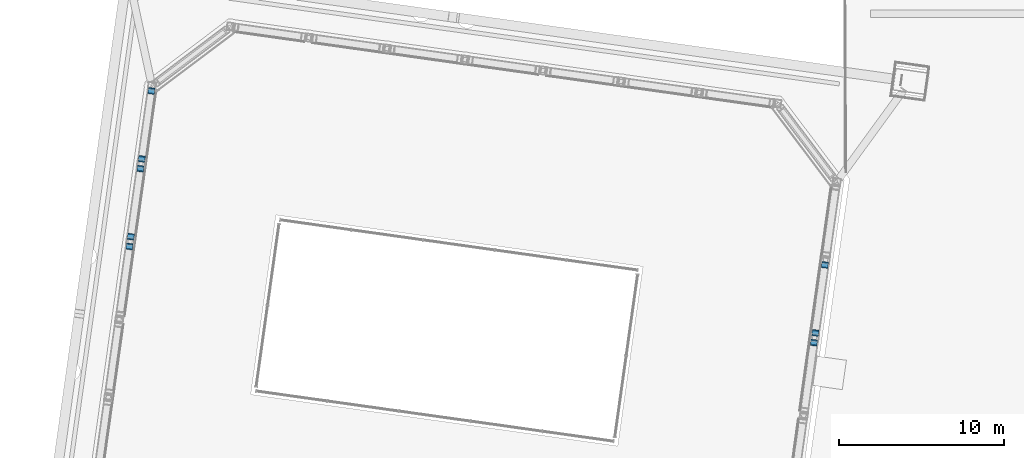
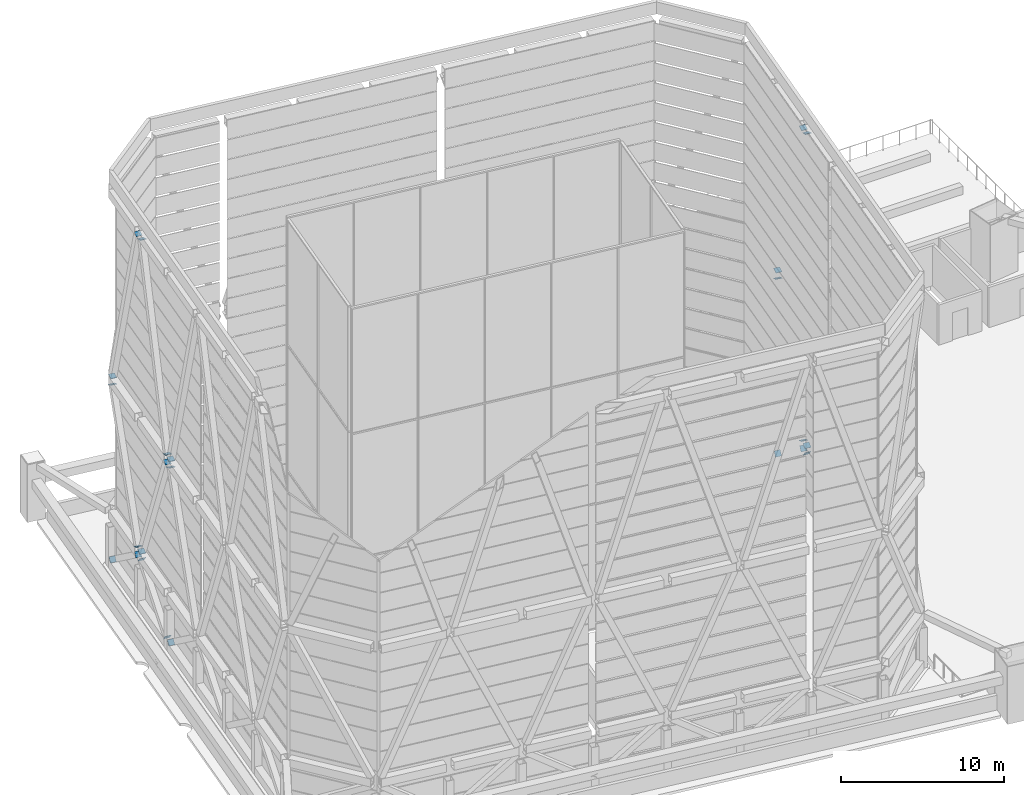
# One storey, part 33 of 45: 24 discrete accessories.
"""IFC4 building model written with IfcOpenShell, lengths in metres."""

from ifc_helpers import new_model, si_unit, direction, frame, origin, origin_2d, place, context, subcontext, project, spatial, rectangle, extrude, material, material_profile, profile_set, type_object, element, save


model = new_model("IFC4")

# Units and contexts
model_context = context("Model", 3, precision=1e-05, world=origin(), true_north=direction((0.0, 1.0)))
body_context = subcontext(model_context, "Body", "Model", "MODEL_VIEW")
ifc_project = project(units=[si_unit("LENGTHUNIT", "METRE"), si_unit("AREAUNIT", "SQUARE_METRE"), si_unit("VOLUMEUNIT", "CUBIC_METRE"), si_unit("PLANEANGLEUNIT", "RADIAN"), si_unit("MASSUNIT", "GRAM", prefix="KILO")], contexts=[model_context])

# Site, building, storey
site_placement = place(None, origin())
site = spatial("IfcSite", under=ifc_project, at=site_placement, CompositionType="ELEMENT")
building_placement = place(site_placement, origin())
building = spatial("IfcBuilding", under=site, at=building_placement, Name="Mirante Cascada Hotel Towers", CompositionType="ELEMENT")
storey_placement = place(building_placement, frame((0.0, 0.0, 269.8)))
storey = spatial("IfcBuildingStorey", under=building, at=storey_placement, Name="Roof garden", CompositionType="ELEMENT", Elevation=269.8)

# Discrete accessories
ifc_material = material(Name="Steel ASTM A572 Gr 50", Category="steel")
ifc_material_profile = material_profile(ifc_material, rectangle(XDim=0.4, YDim=0.4, at=origin_2d()), Name="Connection plate 400x400x25 ASTM A572 Gr 50")
ifc_profile_set = profile_set([ifc_material_profile], Name="Steel ASTM A572 Gr 50")
discrete_accessory_type = type_object("IfcDiscreteAccessoryType", Name="Connection plate 400x400x25 ASTM A572 Gr 50", PredefinedType="BRACKET", material=ifc_profile_set)
discrete_accessory_1_placement = place(storey_placement, frame((-14.0941, 0.2696, 3.6925), z_axis=(0.1116566, 0.7935596, 0.5981605), x_axis=(-0.9902459, 0.1393311, 0.0)))
element("IfcDiscreteAccessory", 1, at=discrete_accessory_1_placement, inside=storey, type_object=discrete_accessory_type, Name="Connection plate HT-D", PredefinedType="BRACKET", context=body_context, shape_type="SweptSolid", body=[
    extrude(rectangle(XDim=0.4, YDim=0.4, at=origin_2d()), origin(), (0.0, 0.0, 1.0), 0.0251),
])
discrete_accessory_2_placement = place(storey_placement, frame((-13.4273, 5.0142, 0.5925), z_axis=(-0.1120108, -0.792076, 0.6000576), x_axis=(0.9901485, -0.140021, 0.0)))
element("IfcDiscreteAccessory", 2, at=discrete_accessory_2_placement, inside=storey, type_object=discrete_accessory_type, Name="Connection plate HT-D", PredefinedType="BRACKET", context=body_context, shape_type="SweptSolid", body=[
    extrude(rectangle(XDim=0.4, YDim=0.4, at=origin_2d()), origin(), (0.0, 0.0, 1.0), 0.025),
])
for number, where, z_axis, x_axis, name in (
    (3, (-14.0078, 0.8836, 3.6925), (-0.1116566, -0.7935596, 0.5981605), (0.9902459, -0.1393311, 0.0), "Connection plate HT-D"),
    (4, (-54.3399, 15.5822, 0.5925), (-0.1116566, -0.7935596, 0.5981605), (0.9902459, -0.1393311, 0.0), "Connection plate HT-D"),
    (5, (-54.9204, 11.4516, 3.6925), (-0.1116566, -0.7935596, 0.5981605), (0.9902459, -0.1393311, 0.0), "Connection plate HT-D"),
):
    element("IfcDiscreteAccessory", number, at=place(storey_placement, frame(where, z_axis=z_axis, x_axis=x_axis)), inside=storey, type_object=discrete_accessory_type, Name=name, PredefinedType="BRACKET", context=body_context, shape_type="SweptSolid", body=[
        extrude(rectangle(XDim=0.4, YDim=0.4, at=origin_2d()), origin(), (0.0, 0.0, 1.0), 0.0251),
    ])
for number, where, z_axis, x_axis, name in (
    (6, (-55.5872, 6.707, 0.5925), (0.1120108, 0.792076, 0.6000576), (-0.9901485, 0.140021, 0.0), "Connection plate HT-D"),
    (7, (-55.0067, 10.8376, 3.6925), (0.1120108, 0.792076, 0.6000576), (-0.9901485, 0.140021, 0.0), "Connection plate HT-D"),
):
    element("IfcDiscreteAccessory", number, at=place(storey_placement, frame(where, z_axis=z_axis, x_axis=x_axis)), inside=storey, type_object=discrete_accessory_type, Name=name, PredefinedType="BRACKET", context=body_context, shape_type="SweptSolid", body=[
        extrude(rectangle(XDim=0.4, YDim=0.4, at=origin_2d()), origin(), (0.0, 0.0, 1.0), 0.025),
    ])
discrete_accessory_3_placement = place(storey_placement, frame((-55.668, 6.1327, 0.5925), z_axis=(-0.107716, -0.7939068, 0.5984222), x_axis=(0.9909208, -0.1344465, 0.0)))
element("IfcDiscreteAccessory", 8, at=discrete_accessory_3_placement, inside=storey, type_object=discrete_accessory_type, Name="Connection plate HT-D", PredefinedType="BRACKET", context=body_context, shape_type="SweptSolid", body=[
    extrude(rectangle(XDim=0.4, YDim=0.4, at=origin_2d()), origin(), (0.0, 0.0, 1.0), 0.0251),
])
for number, where, z_axis, x_axis, name in (
    (9, (-14.092, 0.2845, 4.2886), (-0.0561439, -0.4010279, 0.9143437), (0.9903417, -0.1386478, 0.0), "Connection plate CF-B"),
    (10, (-14.0099, 0.8687, 4.2886), (0.0561439, 0.4010279, 0.9143437), (-0.9903417, 0.1386478, 0.0), "Connection plate CF-B"),
    (11, (-13.4294, 4.9993, 13.6886), (0.0561439, 0.4010279, 0.9143437), (-0.9903417, 0.1386478, 0.0), "Connection plate CF-B"),
):
    element("IfcDiscreteAccessory", number, at=place(storey_placement, frame(where, z_axis=z_axis, x_axis=x_axis)), inside=storey, type_object=discrete_accessory_type, Name=name, PredefinedType="BRACKET", context=body_context, shape_type="SweptSolid", body=[
        extrude(rectangle(XDim=0.4, YDim=0.4, at=origin_2d()), origin(), (0.0, 0.0, 1.0), 0.0249),
    ])
for number, where, z_axis, x_axis, name in (
    (12, (-54.9225, 11.4366, 4.2886), (0.0560534, 0.4043852, 0.9128695), (-0.9905294, 0.1373011, 0.0), "Connection plate CF-B"),
    (13, (-54.342, 15.5672, 13.6886), (0.0560534, 0.4043852, 0.9128695), (-0.9905294, 0.1373011, 0.0), "Connection plate CF-B"),
):
    element("IfcDiscreteAccessory", number, at=place(storey_placement, frame(where, z_axis=z_axis, x_axis=x_axis)), inside=storey, type_object=discrete_accessory_type, Name=name, PredefinedType="BRACKET", context=body_context, shape_type="SweptSolid", body=[
        extrude(rectangle(XDim=0.4, YDim=0.4, at=origin_2d()), origin(), (0.0, 0.0, 1.0), 0.025),
    ])
for number, where, z_axis, x_axis, name in (
    (14, (-55.0046, 10.8525, 4.2886), (-0.0561439, -0.4010279, 0.9143437), (0.9903417, -0.1386478, 0.0), "Connection plate CF-B"),
    (15, (-55.5851, 6.7219, 13.6886), (-0.0561439, -0.4010279, 0.9143437), (0.9903417, -0.1386478, 0.0), "Connection plate CF-B"),
):
    element("IfcDiscreteAccessory", number, at=place(storey_placement, frame(where, z_axis=z_axis, x_axis=x_axis)), inside=storey, type_object=discrete_accessory_type, Name=name, PredefinedType="BRACKET", context=body_context, shape_type="SweptSolid", body=[
        extrude(rectangle(XDim=0.4, YDim=0.4, at=origin_2d()), origin(), (0.0, 0.0, 1.0), 0.0249),
    ])
discrete_accessory_4_placement = place(storey_placement, frame((-55.6701, 6.1177, 13.6886), z_axis=(0.0600432, 0.4042912, 0.9126574), x_axis=(-0.9891508, 0.1469036, 0.0)))
element("IfcDiscreteAccessory", 16, at=discrete_accessory_4_placement, inside=storey, type_object=discrete_accessory_type, Name="Connection plate CF-B", PredefinedType="BRACKET", context=body_context, shape_type="SweptSolid", body=[
    extrude(rectangle(XDim=0.4, YDim=0.4, at=origin_2d()), origin(), (0.0, 0.0, 1.0), 0.025),
])
for number, where, z_axis, x_axis, name in (
    (17, (-14.0932, 0.2758, 27.6381), (0.0400899, 0.2966653, 0.9541397), (-0.9909924, 0.1339179, 0.0), "Connection plate CF-B"),
    (18, (-13.4282, 5.008, 14.2881), (-0.0400899, -0.2966653, 0.9541397), (0.9909924, -0.1339179, 0.0), "Connection plate CF-B"),
    (19, (-14.0087, 0.8774, 27.6381), (-0.0400899, -0.2966653, 0.9541397), (0.9909924, -0.1339179, 0.0), "Connection plate CF-B"),
    (20, (-54.3408, 15.576, 14.2881), (-0.0400899, -0.2966653, 0.9541397), (0.9909924, -0.1339179, 0.0), "Connection plate CF-B"),
    (21, (-54.9213, 11.4454, 27.6381), (-0.0400899, -0.2966653, 0.9541397), (0.9909924, -0.1339179, 0.0), "Connection plate CF-B"),
    (22, (-55.5864, 6.7132, 14.2881), (0.0440915, 0.2966152, 0.9539787), (-0.9891316, 0.1470331, 0.0), "Connection plate CF-B"),
    (23, (-55.0058, 10.8438, 27.6381), (0.0400899, 0.2966653, 0.9541397), (-0.9909924, 0.1339179, 0.0), "Connection plate CF-B"),
    (24, (-55.6688, 6.1264, 14.2881), (-0.0440915, -0.2966152, 0.9539787), (0.9891316, -0.1470331, 0.0), "Connection plate CF-B"),
):
    element("IfcDiscreteAccessory", number, at=place(storey_placement, frame(where, z_axis=z_axis, x_axis=x_axis)), inside=storey, type_object=discrete_accessory_type, Name=name, PredefinedType="BRACKET", context=body_context, shape_type="SweptSolid", body=[
        extrude(rectangle(XDim=0.4, YDim=0.4, at=origin_2d()), origin(), (0.0, 0.0, 1.0), 0.0249),
    ])

save(model, "model.ifc")
